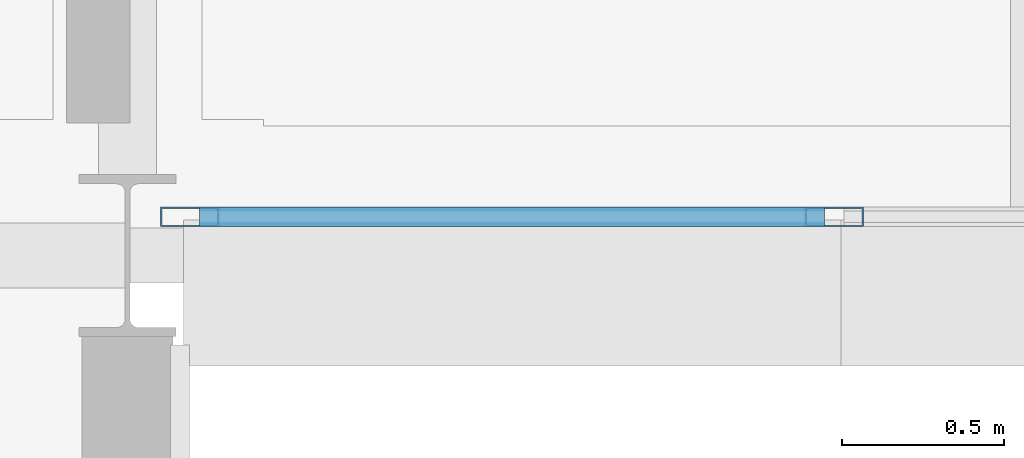
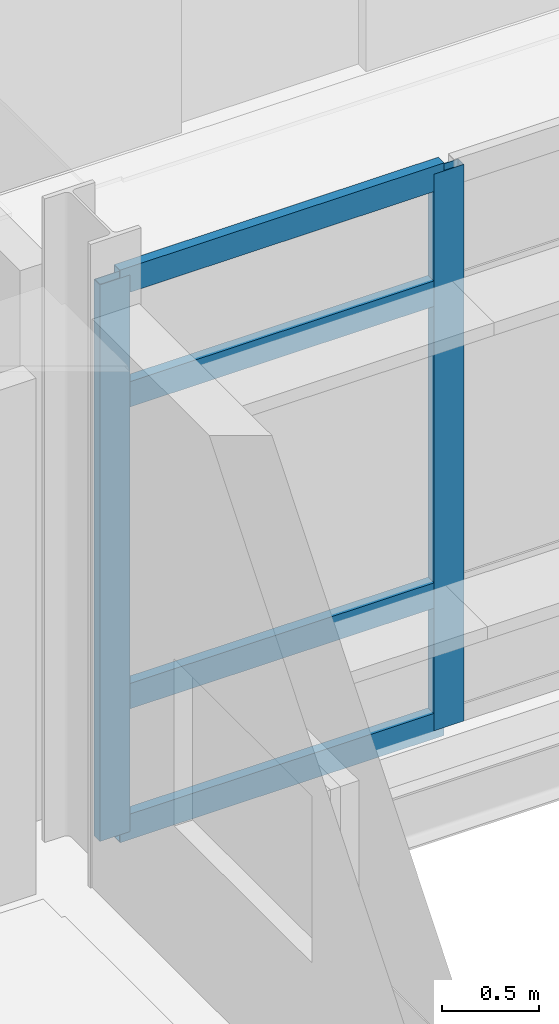
# One storey, part 76 of 131: 6 members, 1 element without a shape of its own.
"""IFC4 building model written with IfcOpenShell, lengths in metres."""

from ifc_helpers import new_model, si_unit, direction, frame, origin, origin_2d, place, context, subcontext, project, spatial, hollow_rectangle, extrude, material, material_profile, profile_set, type_object, element, aggregate, save


model = new_model("IFC4")

# Units and contexts
model_context = context("Model", 3, precision=1e-05, world=origin(), true_north=direction((0.0, 1.0)))
body_context = subcontext(model_context, "Body", "Model", "MODEL_VIEW")
ifc_project = project(units=[si_unit("LENGTHUNIT", "METRE"), si_unit("AREAUNIT", "SQUARE_METRE"), si_unit("VOLUMEUNIT", "CUBIC_METRE"), si_unit("PLANEANGLEUNIT", "RADIAN"), si_unit("MASSUNIT", "GRAM", prefix="KILO")], contexts=[model_context])

# Site, building, storey
site_placement = place(None, origin())
site = spatial("IfcSite", under=ifc_project, at=site_placement, CompositionType="ELEMENT")
building_placement = place(site_placement, origin())
building = spatial("IfcBuilding", under=site, at=building_placement, Name="Mersafa Astral City Hall", CompositionType="ELEMENT")
storey_placement = place(building_placement, frame((0.0, 0.0, 13.949951171875)))
storey = spatial("IfcBuildingStorey", under=building, at=storey_placement, Name="L03", CompositionType="ELEMENT", Elevation=13.949951171875)

# Curtain wall, members
ifc_material = material(Name="Anodised bronze aluminium framing", Category="aluminium")
curtain_wall_type = type_object("IfcCurtainWallType", Name="ENV-CW-3", PredefinedType="USERDEFINED", material=ifc_material)
curtain_wall_placement = place(storey_placement, origin())
curtain_wall = element("IfcCurtainWall", 1, at=curtain_wall_placement, inside=storey, type_object=curtain_wall_type, Name="L03 Unitised solar curtain wall 158", ObjectType="UNITISED CURTAIN WALL", PredefinedType="USERDEFINED")
ifc_material_profile_1 = material_profile(ifc_material, hollow_rectangle(XDim=0.06005859375, YDim=0.179931640625, WallThickness=0.00390625, at=origin_2d()), Name="RHS 60x180x4")
ifc_profile_set_1 = profile_set([ifc_material_profile_1], Name="Anodised bronze aluminium framing")
member_type_1 = type_object("IfcMemberType", Name="ENV-CW-MUL-1", PredefinedType="MULLION", material=ifc_profile_set_1)
member_1_placement = place(storey_placement, frame((117.7919921875, 117.719970703125, -0.001953125), z_axis=(0.0, 0.0, 1.0), x_axis=(0.0, 1.0, 0.0)))
member_1 = element("IfcMember", 2, at=member_1_placement, type_object=member_type_1, Name="CW-3 mullion 1", PredefinedType="MULLION", context=body_context, shape_type="SweptSolid", body=[
    extrude(hollow_rectangle(XDim=0.06005859375, YDim=0.179931640625, WallThickness=0.00390625, at=origin_2d()), origin(), (0.0, 0.0, 1.0), 3.50390625),
])
member_2_placement = place(storey_placement, frame((119.781005859375, 117.719970703125, -0.001953125), z_axis=(0.0, 0.0, 1.0), x_axis=(0.0, 1.0, 0.0)))
member_2 = element("IfcMember", 3, at=member_2_placement, type_object=member_type_1, Name="CW-3 mullion 2", PredefinedType="MULLION", context=body_context, shape_type="SweptSolid", body=[
    extrude(hollow_rectangle(XDim=0.06005859375, YDim=0.179931640625, WallThickness=0.00390625, at=origin_2d()), origin(), (0.0, 0.0, 1.0), 3.50390625),
])
ifc_material_profile_2 = material_profile(ifc_material, hollow_rectangle(XDim=0.06005859375, YDim=0.159912109375, WallThickness=0.00390625, at=origin_2d()), Name="RHS 60x160x4")
ifc_profile_set_2 = profile_set([ifc_material_profile_2], Name="Anodised bronze aluminium framing")
member_type_2 = type_object("IfcMemberType", Name="ENV-CW-TRN-2", PredefinedType="USERDEFINED", material=ifc_profile_set_2)
member_3_placement = place(storey_placement, frame((117.822021484375, 117.719970703125, 0.028076171875), z_axis=(1.0, 0.0, 0.0), x_axis=(0.0, 1.0, 0.0)))
member_3 = element("IfcMember", 4, at=member_3_placement, type_object=member_type_2, Name="CW-3 transom 1.1", ObjectType="TRANSOM", PredefinedType="USERDEFINED", context=body_context, shape_type="SweptSolid", body=[
    extrude(hollow_rectangle(XDim=0.06005859375, YDim=0.159912109375, WallThickness=0.00390625, at=origin_2d()), origin(), (0.0, 0.0, 1.0), 1.928955078125),
])
member_4_placement = place(storey_placement, frame((117.822021484375, 117.719970703125, 0.85009765625), z_axis=(1.0, 0.0, 0.0), x_axis=(0.0, 1.0, 0.0)))
member_4 = element("IfcMember", 5, at=member_4_placement, type_object=member_type_2, Name="CW-3 transom 1.2", ObjectType="TRANSOM", PredefinedType="USERDEFINED", context=body_context, shape_type="SweptSolid", body=[
    extrude(hollow_rectangle(XDim=0.06005859375, YDim=0.159912109375, WallThickness=0.00390625, at=origin_2d()), origin(), (0.0, 0.0, 1.0), 1.928955078125),
])
member_5_placement = place(storey_placement, frame((117.822021484375, 117.719970703125, 2.75), z_axis=(1.0, 0.0, 0.0), x_axis=(0.0, 1.0, 0.0)))
member_5 = element("IfcMember", 6, at=member_5_placement, type_object=member_type_2, Name="CW-3 transom 1.3", ObjectType="TRANSOM", PredefinedType="USERDEFINED", context=body_context, shape_type="SweptSolid", body=[
    extrude(hollow_rectangle(XDim=0.06005859375, YDim=0.159912109375, WallThickness=0.00390625, at=origin_2d()), origin(), (0.0, 0.0, 1.0), 1.928955078125),
])
member_6_placement = place(storey_placement, frame((117.822021484375, 117.719970703125, 3.47216796875), z_axis=(1.0, 0.0, 0.0), x_axis=(0.0, 1.0, 0.0)))
member_6 = element("IfcMember", 7, at=member_6_placement, type_object=member_type_2, Name="CW-3 transom 1.4", ObjectType="TRANSOM", PredefinedType="USERDEFINED", context=body_context, shape_type="SweptSolid", body=[
    extrude(hollow_rectangle(XDim=0.06005859375, YDim=0.159912109375, WallThickness=0.00390625, at=origin_2d()), origin(), (0.0, 0.0, 1.0), 1.928955078125),
])
aggregate(curtain_wall, [member_1, member_2, member_3, member_4, member_5, member_6])

save(model, "model.ifc")
